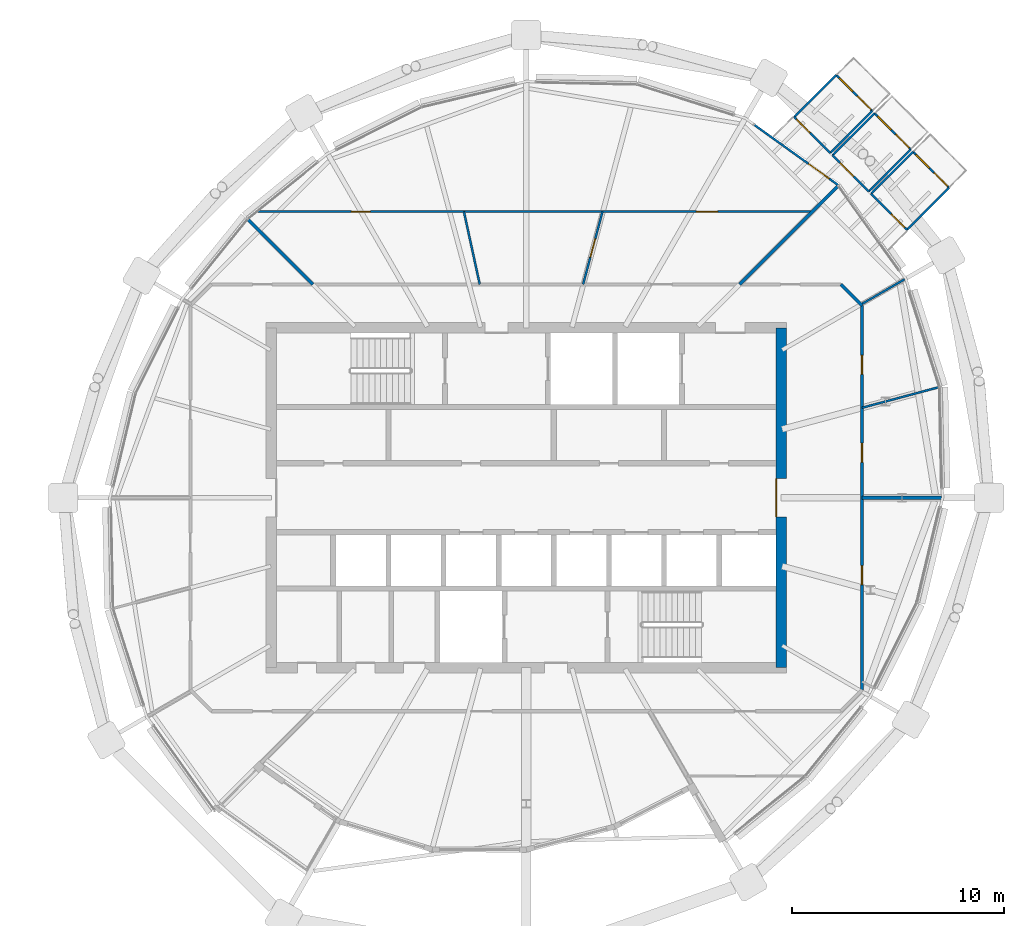
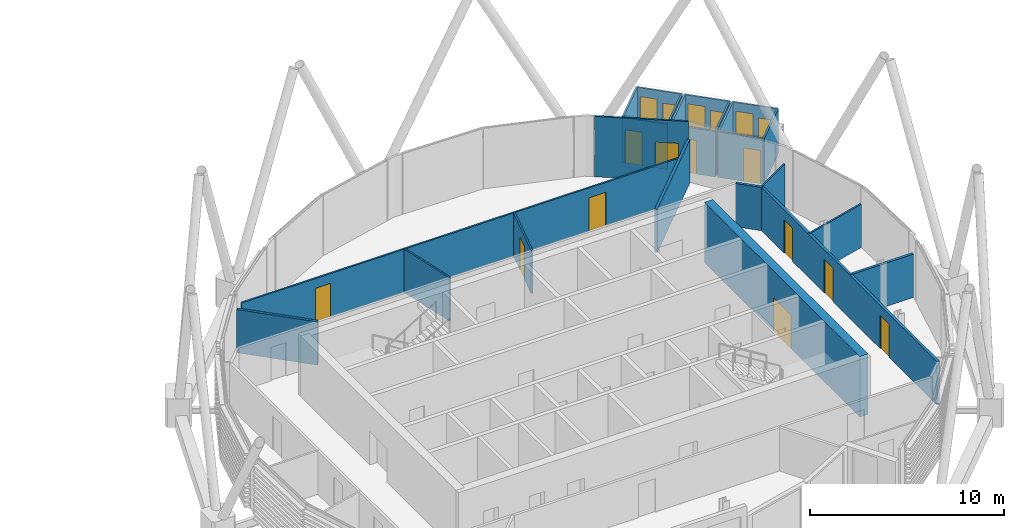
# One storey, part 26 of 34: 24 walls, 14 doors, 3 windows, 17 openings.
"""IFC4 building model written with IfcOpenShell, lengths in metres."""

from ifc_helpers import new_model, si_unit, direction, frame, frame_2d, origin, place, context, subcontext, project, spatial, rectangle, extrude, material, layer, layer_set, type_object, element, fill, save


model = new_model("IFC4")

# Units and contexts
model_context = context("Model", 3, precision=1e-05, world=origin(), true_north=direction((0.0, 1.0)))
body_context = subcontext(model_context, "Body", "Model", "MODEL_VIEW")
ifc_project = project(units=[si_unit("LENGTHUNIT", "METRE"), si_unit("AREAUNIT", "SQUARE_METRE"), si_unit("VOLUMEUNIT", "CUBIC_METRE"), si_unit("PLANEANGLEUNIT", "RADIAN"), si_unit("MASSUNIT", "GRAM", prefix="KILO")], contexts=[model_context])

# Site, building, storey
site_placement = place(None, origin())
site = spatial("IfcSite", under=ifc_project, at=site_placement, CompositionType="ELEMENT")
building_placement = place(site_placement, origin())
building = spatial("IfcBuilding", under=site, at=building_placement, Name="Rimbun Link Towers", CompositionType="ELEMENT")
storey_placement = place(building_placement, frame((0.0, 0.0, 221.89990234375)))
storey = spatial("IfcBuildingStorey", under=building, at=storey_placement, Name="L54", CompositionType="ELEMENT", Elevation=221.89990234375)

# Wall, openings, door, window
ifc_material_1 = material(Name="Terracotta-faced insulated sandwich panel", Category="masonry")
ifc_layer_1 = layer(ifc_material_1, 0.10009765625)
ifc_layer_set_1 = layer_set([ifc_layer_1], Name="CAPSULE entrance panel 100")
wall_type_1 = type_object("IfcWallType", Name="CAPSULE entrance panel 100", PredefinedType="STANDARD", material=ifc_layer_set_1)
wall_1_placement = place(storey_placement, frame((48.042236328125, 18.201416015625, 0.0), z_axis=(0.0, 0.0, 1.0), x_axis=(-0.707106781187, 0.707106781187, 0.0)))
wall_1 = element("IfcWall", 1, at=wall_1_placement, inside=storey, type_object=wall_type_1, Name="CAPSULE D542.01 shell panel 2", PredefinedType="STANDARD", context=body_context, shape_type="SweptSolid", body=[
    extrude(rectangle(XDim=2.39990234375, YDim=0.10009765625, at=frame_2d((1.199951171875, 0.0))), origin(), (0.0, 0.0, 1.0), 2.85009765625),
])
opening_1_placement = place(wall_1_placement, frame((0.10009765625, 0.0, 0.0)))
opening_1 = element("IfcOpeningElement", 2, at=opening_1_placement, cuts=wall_1, Name="Opening CD54.01", PredefinedType="OPENING", context=body_context, shape_type="SweptSolid", body=[
    extrude(rectangle(XDim=0.89990234375, YDim=2.10009765625, at=frame_2d((0.449951171875, 1.050048828125))), frame((0.0, 0.06005859375, 0.0), z_axis=(0.0, -1.0, 0.0), x_axis=(1.0, 0.0, 0.0)), (0.0, 0.0, 1.0), 0.1201171875),
])
opening_2_placement = place(wall_1_placement, frame((1.300048828125, 0.0, 0.89990234375)))
opening_2 = element("IfcOpeningElement", 3, at=opening_2_placement, cuts=wall_1, Name="Opening CN54.01", PredefinedType="OPENING", context=body_context, shape_type="SweptSolid", body=[
    extrude(rectangle(XDim=0.89990234375, YDim=1.39990234375, at=frame_2d((0.449951171875, 0.699951171875))), frame((0.0, 0.06005859375, 0.0), z_axis=(0.0, -1.0, 0.0), x_axis=(1.0, 0.0, 0.0)), (0.0, 0.0, 1.0), 0.1201171875),
])
ifc_material_2 = material(Name="Aluminium framed insulated door leaf", Category="aluminium")
door_type_1 = type_object("IfcDoorType", Name="CAPSULE door single leaf 900X2100", OperationType="SINGLE_SWING_LEFT", PredefinedType="DOOR", material=ifc_material_2)
door_1_placement = place(opening_1_placement, origin())
door_1 = element("IfcDoor", 4, at=door_1_placement, inside=storey, type_object=door_type_1, Name="CAPSULE D542.01 door", OperationType="SINGLE_SWING_LEFT", OverallHeight=2.10009765625, OverallWidth=0.89990234375, PredefinedType="DOOR", context=body_context, shape_type="SweptSolid", body=[
    extrude(rectangle(XDim=0.89990234375, YDim=2.10009765625, at=frame_2d((0.449951171875, 1.050048828125))), frame((0.0, 0.02490234375, 0.0), z_axis=(0.0, -1.0, 0.0), x_axis=(1.0, 0.0, 0.0)), (0.0, 0.0, 1.0), 0.050048828125),
])
fill(opening_1, door_1)
ifc_material_3 = material(Name="Aluminium framed window, low-iron glass", Category="aluminium")
window_type = type_object("IfcWindowType", Name="CAPSULE window 900X1400", PartitioningType="SINGLE_PANEL", PredefinedType="WINDOW", material=ifc_material_3)
window_1_placement = place(opening_2_placement, origin())
window_1 = element("IfcWindow", 5, at=window_1_placement, inside=storey, type_object=window_type, Name="CAPSULE D542.01 window", OverallHeight=1.39990234375, OverallWidth=0.89990234375, PartitioningType="SINGLE_PANEL", PredefinedType="WINDOW", context=body_context, shape_type="SweptSolid", body=[
    extrude(rectangle(XDim=0.89990234375, YDim=1.39990234375, at=frame_2d((0.449951171875, 0.699951171875))), frame((0.0, 0.030029296875, 0.0), z_axis=(0.0, -1.0, 0.0), x_axis=(1.0, 0.0, 0.0)), (0.0, 0.0, 1.0), 0.06005859375),
])
fill(opening_2, window_1)

# Wall, opening, door
wall_2_placement = place(storey_placement, frame((44.365234375, 17.91845703125, 0.0), z_axis=(0.0, 0.0, 1.0), x_axis=(0.707106781187, -0.707106781187, 0.0)))
wall_2 = element("IfcWall", 6, at=wall_2_placement, inside=storey, type_object=wall_type_1, Name="CAPSULE D542.01 shell panel 4", PredefinedType="STANDARD", context=body_context, shape_type="SweptSolid", body=[
    extrude(rectangle(XDim=2.39990234375, YDim=0.10009765625, at=frame_2d((1.199951171875, 0.0))), origin(), (0.0, 0.0, 1.0), 2.85009765625),
])
opening_3_placement = place(wall_2_placement, frame((0.14990234375, 0.0, 0.0)))
opening_3 = element("IfcOpeningElement", 7, at=opening_3_placement, cuts=wall_2, Name="Opening CE54.01", PredefinedType="OPENING", context=body_context, shape_type="SweptSolid", body=[
    extrude(rectangle(XDim=0.89990234375, YDim=2.10009765625, at=frame_2d((0.449951171875, 1.050048828125))), frame((0.0, 0.06005859375, 0.0), z_axis=(0.0, -1.0, 0.0), x_axis=(1.0, 0.0, 0.0)), (0.0, 0.0, 1.0), 0.1201171875),
])
door_2_placement = place(opening_3_placement, origin())
door_2 = element("IfcDoor", 8, at=door_2_placement, inside=storey, type_object=door_type_1, Name="CAPSULE D542.01 inner door", OperationType="SINGLE_SWING_LEFT", OverallHeight=2.10009765625, OverallWidth=0.89990234375, PredefinedType="DOOR", context=body_context, shape_type="SweptSolid", body=[
    extrude(rectangle(XDim=0.89990234375, YDim=2.10009765625, at=frame_2d((0.449951171875, 1.050048828125))), frame((0.0, 0.02490234375, 0.0), z_axis=(0.0, -1.0, 0.0), x_axis=(1.0, 0.0, 0.0)), (0.0, 0.0, 1.0), 0.050048828125),
])
fill(opening_3, door_2)

# Wall, openings, door, window
wall_3_placement = place(storey_placement, frame((49.84521484375, 16.398193359375, 0.0), z_axis=(0.0, 0.0, 1.0), x_axis=(-0.707106781187, 0.707106781187, 0.0)))
wall_3 = element("IfcWall", 9, at=wall_3_placement, inside=storey, type_object=wall_type_1, Name="CAPSULE D542.02 shell panel 2", PredefinedType="STANDARD", context=body_context, shape_type="SweptSolid", body=[
    extrude(rectangle(XDim=2.39990234375, YDim=0.10009765625, at=frame_2d((1.199951171875, 0.0))), origin(), (0.0, 0.0, 1.0), 2.85009765625),
])
opening_4_placement = place(wall_3_placement, frame((0.10009765625, 0.0, 0.0)))
opening_4 = element("IfcOpeningElement", 10, at=opening_4_placement, cuts=wall_3, Name="Opening CD54.02", PredefinedType="OPENING", context=body_context, shape_type="SweptSolid", body=[
    extrude(rectangle(XDim=0.89990234375, YDim=2.10009765625, at=frame_2d((0.449951171875, 1.050048828125))), frame((0.0, 0.06005859375, 0.0), z_axis=(0.0, -1.0, 0.0), x_axis=(1.0, 0.0, 0.0)), (0.0, 0.0, 1.0), 0.1201171875),
])
opening_5_placement = place(wall_3_placement, frame((1.300048828125, 0.0, 0.89990234375)))
opening_5 = element("IfcOpeningElement", 11, at=opening_5_placement, cuts=wall_3, Name="Opening CN54.02", PredefinedType="OPENING", context=body_context, shape_type="SweptSolid", body=[
    extrude(rectangle(XDim=0.89990234375, YDim=1.39990234375, at=frame_2d((0.449951171875, 0.699951171875))), frame((0.0, 0.06005859375, 0.0), z_axis=(0.0, -1.0, 0.0), x_axis=(1.0, 0.0, 0.0)), (0.0, 0.0, 1.0), 0.1201171875),
])
door_3_placement = place(opening_4_placement, origin())
door_3 = element("IfcDoor", 12, at=door_3_placement, inside=storey, type_object=door_type_1, Name="CAPSULE D542.02 door", OperationType="SINGLE_SWING_RIGHT", OverallHeight=2.10009765625, OverallWidth=0.89990234375, PredefinedType="DOOR", context=body_context, shape_type="SweptSolid", body=[
    extrude(rectangle(XDim=0.89990234375, YDim=2.10009765625, at=frame_2d((0.449951171875, 1.050048828125))), frame((0.0, 0.02490234375, 0.0), z_axis=(0.0, -1.0, 0.0), x_axis=(1.0, 0.0, 0.0)), (0.0, 0.0, 1.0), 0.050048828125),
])
fill(opening_4, door_3)
window_2_placement = place(opening_5_placement, origin())
window_2 = element("IfcWindow", 13, at=window_2_placement, inside=storey, type_object=window_type, Name="CAPSULE D542.02 window", OverallHeight=1.39990234375, OverallWidth=0.89990234375, PartitioningType="SINGLE_PANEL", PredefinedType="WINDOW", context=body_context, shape_type="SweptSolid", body=[
    extrude(rectangle(XDim=0.89990234375, YDim=1.39990234375, at=frame_2d((0.449951171875, 0.699951171875))), frame((0.0, 0.030029296875, 0.0), z_axis=(0.0, -1.0, 0.0), x_axis=(1.0, 0.0, 0.0)), (0.0, 0.0, 1.0), 0.06005859375),
])
fill(opening_5, window_2)

# Wall, opening, door
wall_4_placement = place(storey_placement, frame((46.16845703125, 16.115478515625, 0.0), z_axis=(0.0, 0.0, 1.0), x_axis=(0.707106781187, -0.707106781187, 0.0)))
wall_4 = element("IfcWall", 14, at=wall_4_placement, inside=storey, type_object=wall_type_1, Name="CAPSULE D542.02 shell panel 4", PredefinedType="STANDARD", context=body_context, shape_type="SweptSolid", body=[
    extrude(rectangle(XDim=2.39990234375, YDim=0.10009765625, at=frame_2d((1.199951171875, 0.0))), origin(), (0.0, 0.0, 1.0), 2.85009765625),
])
opening_6_placement = place(wall_4_placement, frame((0.5, 0.0, 0.0)))
opening_6 = element("IfcOpeningElement", 15, at=opening_6_placement, cuts=wall_4, Name="Opening CE54.02", PredefinedType="OPENING", context=body_context, shape_type="SweptSolid", body=[
    extrude(rectangle(XDim=0.89990234375, YDim=2.10009765625, at=frame_2d((0.449951171875, 1.050048828125))), frame((0.0, 0.06005859375, 0.0), z_axis=(0.0, -1.0, 0.0), x_axis=(1.0, 0.0, 0.0)), (0.0, 0.0, 1.0), 0.1201171875),
])
door_4_placement = place(opening_6_placement, origin())
door_4 = element("IfcDoor", 16, at=door_4_placement, inside=storey, type_object=door_type_1, Name="CAPSULE D542.02 inner door", OperationType="SINGLE_SWING_LEFT", OverallHeight=2.10009765625, OverallWidth=0.89990234375, PredefinedType="DOOR", context=body_context, shape_type="SweptSolid", body=[
    extrude(rectangle(XDim=0.89990234375, YDim=2.10009765625, at=frame_2d((0.449951171875, 1.050048828125))), frame((0.0, 0.02490234375, 0.0), z_axis=(0.0, -1.0, 0.0), x_axis=(1.0, 0.0, 0.0)), (0.0, 0.0, 1.0), 0.050048828125),
])
fill(opening_6, door_4)

# Wall, openings, door, window
wall_5_placement = place(storey_placement, frame((51.6484375, 14.59521484375, 0.0), z_axis=(0.0, 0.0, 1.0), x_axis=(-0.707106781187, 0.707106781187, 0.0)))
wall_5 = element("IfcWall", 17, at=wall_5_placement, inside=storey, type_object=wall_type_1, Name="CAPSULE D542.03 shell panel 2", PredefinedType="STANDARD", context=body_context, shape_type="SweptSolid", body=[
    extrude(rectangle(XDim=2.39990234375, YDim=0.10009765625, at=frame_2d((1.199951171875, 0.0))), origin(), (0.0, 0.0, 1.0), 2.85009765625),
])
opening_7_placement = place(wall_5_placement, frame((0.10009765625, 0.0, 0.0)))
opening_7 = element("IfcOpeningElement", 18, at=opening_7_placement, cuts=wall_5, Name="Opening CD54.03", PredefinedType="OPENING", context=body_context, shape_type="SweptSolid", body=[
    extrude(rectangle(XDim=0.89990234375, YDim=2.10009765625, at=frame_2d((0.449951171875, 1.050048828125))), frame((0.0, 0.06005859375, 0.0), z_axis=(0.0, -1.0, 0.0), x_axis=(1.0, 0.0, 0.0)), (0.0, 0.0, 1.0), 0.1201171875),
])
opening_8_placement = place(wall_5_placement, frame((1.300048828125, 0.0, 0.89990234375)))
opening_8 = element("IfcOpeningElement", 19, at=opening_8_placement, cuts=wall_5, Name="Opening CN54.03", PredefinedType="OPENING", context=body_context, shape_type="SweptSolid", body=[
    extrude(rectangle(XDim=0.89990234375, YDim=1.39990234375, at=frame_2d((0.449951171875, 0.699951171875))), frame((0.0, 0.06005859375, 0.0), z_axis=(0.0, -1.0, 0.0), x_axis=(1.0, 0.0, 0.0)), (0.0, 0.0, 1.0), 0.1201171875),
])
door_5_placement = place(opening_7_placement, origin())
door_5 = element("IfcDoor", 20, at=door_5_placement, inside=storey, type_object=door_type_1, Name="CAPSULE D542.03 door", OperationType="SINGLE_SWING_LEFT", OverallHeight=2.10009765625, OverallWidth=0.89990234375, PredefinedType="DOOR", context=body_context, shape_type="SweptSolid", body=[
    extrude(rectangle(XDim=0.89990234375, YDim=2.10009765625, at=frame_2d((0.449951171875, 1.050048828125))), frame((0.0, 0.02490234375, 0.0), z_axis=(0.0, -1.0, 0.0), x_axis=(1.0, 0.0, 0.0)), (0.0, 0.0, 1.0), 0.050048828125),
])
fill(opening_7, door_5)
window_3_placement = place(opening_8_placement, origin())
window_3 = element("IfcWindow", 21, at=window_3_placement, inside=storey, type_object=window_type, Name="CAPSULE D542.03 window", OverallHeight=1.39990234375, OverallWidth=0.89990234375, PartitioningType="SINGLE_PANEL", PredefinedType="WINDOW", context=body_context, shape_type="SweptSolid", body=[
    extrude(rectangle(XDim=0.89990234375, YDim=1.39990234375, at=frame_2d((0.449951171875, 0.699951171875))), frame((0.0, 0.030029296875, 0.0), z_axis=(0.0, -1.0, 0.0), x_axis=(1.0, 0.0, 0.0)), (0.0, 0.0, 1.0), 0.06005859375),
])
fill(opening_8, window_3)

# Wall, opening, door
wall_6_placement = place(storey_placement, frame((47.971435546875, 14.312255859375, 0.0), z_axis=(0.0, 0.0, 1.0), x_axis=(0.707106781187, -0.707106781187, 0.0)))
wall_6 = element("IfcWall", 22, at=wall_6_placement, inside=storey, type_object=wall_type_1, Name="CAPSULE D542.03 shell panel 4", PredefinedType="STANDARD", context=body_context, shape_type="SweptSolid", body=[
    extrude(rectangle(XDim=2.39990234375, YDim=0.10009765625, at=frame_2d((1.199951171875, 0.0))), origin(), (0.0, 0.0, 1.0), 2.85009765625),
])
opening_9_placement = place(wall_6_placement, frame((1.35009765625, 0.0, 0.0)))
opening_9 = element("IfcOpeningElement", 23, at=opening_9_placement, cuts=wall_6, Name="Opening CE54.03", PredefinedType="OPENING", context=body_context, shape_type="SweptSolid", body=[
    extrude(rectangle(XDim=0.89990234375, YDim=2.10009765625, at=frame_2d((0.449951171875, 1.050048828125))), frame((0.0, 0.06005859375, 0.0), z_axis=(0.0, -1.0, 0.0), x_axis=(1.0, 0.0, 0.0)), (0.0, 0.0, 1.0), 0.1201171875),
])
door_6_placement = place(opening_9_placement, origin())
door_6 = element("IfcDoor", 24, at=door_6_placement, inside=storey, type_object=door_type_1, Name="CAPSULE D542.03 inner door", OperationType="SINGLE_SWING_LEFT", OverallHeight=2.10009765625, OverallWidth=0.89990234375, PredefinedType="DOOR", context=body_context, shape_type="SweptSolid", body=[
    extrude(rectangle(XDim=0.89990234375, YDim=2.10009765625, at=frame_2d((0.449951171875, 1.050048828125))), frame((0.0, 0.02490234375, 0.0), z_axis=(0.0, -1.0, 0.0), x_axis=(1.0, 0.0, 0.0)), (0.0, 0.0, 1.0), 0.050048828125),
])
fill(opening_9, door_6)

# Walls
ifc_material_4 = material(Name="Terracotta-faced insulated sandwich panel", Category="masonry")
ifc_layer_2 = layer(ifc_material_4, 0.10009765625)
ifc_layer_set_2 = layer_set([ifc_layer_2], Name="CAPSULE shell panel 100")
wall_type_2 = type_object("IfcWallType", Name="CAPSULE shell panel 100", PredefinedType="STANDARD", material=ifc_layer_set_2)
for number, where, z_axis, x_axis, name in (
    (25, (46.062255859375, 16.221435546875, 0.0), (0.0, 0.0, 1.0), (0.707106781187, 0.707106781187, 0.0), "CAPSULE D542.01 shell panel 1"),
    (26, (46.34521484375, 19.8984375, 0.0), (0.0, 0.0, 1.0), (-0.707106781187, -0.707106781187, 0.0), "CAPSULE D542.01 shell panel 3"),
):
    element("IfcWall", number, at=place(storey_placement, frame(where, z_axis=z_axis, x_axis=x_axis)), inside=storey, type_object=wall_type_2, Name=name, PredefinedType="STANDARD", context=body_context, shape_type="SweptSolid", body=[
        extrude(rectangle(XDim=2.800048828125, YDim=0.10009765625, at=frame_2d((1.39990234375, 0.0))), origin(), (0.0, 0.0, 1.0), 2.85009765625),
    ])
for number, where, z_axis, x_axis, name in (
    (27, (47.865478515625, 14.41845703125, 0.0), (0.0, 0.0, 1.0), (0.707106781187, 0.707106781187, 0.0), "CAPSULE D542.02 shell panel 1"),
    (28, (48.148193359375, 18.09521484375, 0.0), (0.0, 0.0, 1.0), (-0.707106781187, -0.707106781187, 0.0), "CAPSULE D542.02 shell panel 3"),
):
    element("IfcWall", number, at=place(storey_placement, frame(where, z_axis=z_axis, x_axis=x_axis)), inside=storey, type_object=wall_type_2, Name=name, PredefinedType="STANDARD", context=body_context, shape_type="SweptSolid", body=[
        extrude(rectangle(XDim=2.7998046875, YDim=0.10009765625, at=frame_2d((1.39990234375, 0.0))), origin(), (0.0, 0.0, 1.0), 2.85009765625),
    ])
for number, where, z_axis, x_axis, name in (
    (29, (49.66845703125, 12.615234375, 0.0), (0.0, 0.0, 1.0), (0.707106781187, 0.707106781187, 0.0), "CAPSULE D542.03 shell panel 1"),
    (30, (49.951416015625, 16.292236328125, 0.0), (0.0, 0.0, 1.0), (-0.707106781187, -0.707106781187, 0.0), "CAPSULE D542.03 shell panel 3"),
):
    element("IfcWall", number, at=place(storey_placement, frame(where, z_axis=z_axis, x_axis=x_axis)), inside=storey, type_object=wall_type_2, Name=name, PredefinedType="STANDARD", context=body_context, shape_type="SweptSolid", body=[
        extrude(rectangle(XDim=2.800048828125, YDim=0.10009765625, at=frame_2d((1.39990234375, 0.0))), origin(), (0.0, 0.0, 1.0), 2.85009765625),
    ])

# Wall, opening, door
ifc_material_5 = material(Name="Concrete C60/75", Category="concrete")
ifc_layer_3 = layer(ifc_material_5, 0.5)
ifc_layer_set_3 = layer_set([ifc_layer_3], Name="Core shear wall 500")
wall_type_3 = type_object("IfcWallType", Name="Core shear wall 500", PredefinedType="SHEAR", material=ifc_layer_set_3)
wall_7_placement = place(storey_placement, frame((43.75, -8.0, 0.0), z_axis=(0.0, 0.0, 1.0), x_axis=(0.0, 1.0, 0.0)))
wall_7 = element("IfcWall", 31, at=wall_7_placement, inside=storey, type_object=wall_type_3, Name="L54 T2 core wall E", PredefinedType="SHEAR", context=body_context, shape_type="SweptSolid", body=[
    extrude(rectangle(XDim=16.0, YDim=0.5, at=frame_2d((8.0, 0.0))), origin(), (0.0, 0.0, 1.0), 3.800048828125),
])
opening_10_placement = place(wall_7_placement, frame((7.10009765625, 0.0, 0.0)))
opening_10 = element("IfcOpeningElement", 32, at=opening_10_placement, cuts=wall_7, Name="Opening C2DCL01E", PredefinedType="OPENING", context=body_context, shape_type="SweptSolid", body=[
    extrude(rectangle(XDim=1.800048828125, YDim=2.10009765625, at=frame_2d((0.89990234375, 1.050048828125))), frame((0.0, 0.260009765625, 0.0), z_axis=(0.0, -1.0, 0.0), x_axis=(1.0, 0.0, 0.0)), (0.0, 0.0, 1.0), 0.52001953125),
])
ifc_material_6 = material(Name="Steel fire door set", Category="steel")
door_type_2 = type_object("IfcDoorType", Name="Core lobby door double", OperationType="DOUBLE_DOOR_SINGLE_SWING", PredefinedType="DOOR", material=ifc_material_6)
door_7_placement = place(opening_10_placement, origin())
door_7 = element("IfcDoor", 33, at=door_7_placement, inside=storey, type_object=door_type_2, Name="L54 T2 lift lobby door", OperationType="DOUBLE_DOOR_SINGLE_SWING", OverallHeight=2.10009765625, OverallWidth=1.800048828125, PredefinedType="DOOR", context=body_context, shape_type="SweptSolid", body=[
    extrude(rectangle(XDim=1.800048828125, YDim=2.10009765625, at=frame_2d((0.89990234375, 1.050048828125))), frame((0.0, 0.25, 0.0), z_axis=(0.0, -1.0, 0.0), x_axis=(1.0, 0.0, 0.0)), (0.0, 0.0, 1.0), 0.050048828125),
])
fill(opening_10, door_7)

# Wall
ifc_material_7 = material(Name="Plasterboard on steel stud, mineral wool", Category="steel")
ifc_layer_4 = layer(ifc_material_7, 0.14990234375)
ifc_layer_set_4 = layer_set([ifc_layer_4], Name="Corridor wall EI 30 150 mm")
wall_type_4 = type_object("IfcWallType", Name="Corridor wall EI 30 150 mm", PredefinedType="PARTITIONING", material=ifc_layer_set_4)
wall_8_placement = place(storey_placement, frame((47.554931640625, 9.043701171875, 0.0), z_axis=(0.0, 0.0, 1.0), x_axis=(-0.707106781187, 0.707106781187, 0.0)))
element("IfcWall", 34, at=wall_8_placement, inside=storey, type_object=wall_type_4, Name="Corridor wall EI 30 150 mm", PredefinedType="PARTITIONING", context=body_context, shape_type="SweptSolid", body=[
    extrude(rectangle(XDim=1.416015625, YDim=0.14990234375, at=frame_2d((0.7080078125, 0.0))), origin(), (0.0, 0.0, 1.0), 2.72216796875),
])

# Wall, openings, doors
wall_9_placement = place(storey_placement, frame((47.554931640625, 9.043701171875, 0.0), z_axis=(0.0, 0.0, 1.0), x_axis=(0.0, -1.0, 0.0)))
wall_9 = element("IfcWall", 35, at=wall_9_placement, inside=storey, type_object=wall_type_4, Name="Corridor wall EI 30 150 mm", PredefinedType="PARTITIONING", context=body_context, shape_type="SweptSolid", body=[
    extrude(rectangle(XDim=18.08740234375, YDim=0.14990234375, at=frame_2d((9.043701171875, 0.0))), origin(), (0.0, 0.0, 1.0), 2.72216796875),
])
opening_11_placement = place(wall_9_placement, frame((6.476318359375, 0.0, 0.0)))
opening_11 = element("IfcOpeningElement", 36, at=opening_11_placement, cuts=wall_9, Name="Opening D02", PredefinedType="OPENING", context=body_context, shape_type="SweptSolid", body=[
    extrude(rectangle(XDim=0.89990234375, YDim=2.10009765625, at=frame_2d((0.449951171875, 1.050048828125))), frame((0.0, 0.0849609375, 0.0), z_axis=(0.0, -1.0, 0.0), x_axis=(1.0, 0.0, 0.0)), (0.0, 0.0, 1.0), 0.169921875),
])
opening_12_placement = place(wall_9_placement, frame((2.336181640625, 0.0, 0.0)))
opening_12 = element("IfcOpeningElement", 37, at=opening_12_placement, cuts=wall_9, Name="Opening D02", PredefinedType="OPENING", context=body_context, shape_type="SweptSolid", body=[
    extrude(rectangle(XDim=0.89990234375, YDim=2.10009765625, at=frame_2d((0.449951171875, 1.050048828125))), frame((0.0, 0.0849609375, 0.0), z_axis=(0.0, -1.0, 0.0), x_axis=(1.0, 0.0, 0.0)), (0.0, 0.0, 1.0), 0.169921875),
])
opening_13_placement = place(wall_9_placement, frame((12.233642578125, 0.0, 0.0)))
opening_13 = element("IfcOpeningElement", 38, at=opening_13_placement, cuts=wall_9, Name="Opening D02", PredefinedType="OPENING", context=body_context, shape_type="SweptSolid", body=[
    extrude(rectangle(XDim=0.89990234375, YDim=2.10009765625, at=frame_2d((0.449951171875, 1.050048828125))), frame((0.0, 0.0849609375, 0.0), z_axis=(0.0, -1.0, 0.0), x_axis=(1.0, 0.0, 0.0)), (0.0, 0.0, 1.0), 0.169921875),
])
ifc_material_8 = material(Name="Fire-resisting timber door leaf", Category="wood")
door_type_3 = type_object("IfcDoorType", Name="Fire door FD30S 900", OperationType="NOTDEFINED", PredefinedType="DOOR", material=ifc_material_8)
door_8_placement = place(opening_11_placement, origin())
door_8 = element("IfcDoor", 39, at=door_8_placement, inside=storey, type_object=door_type_3, Name="Fire door FD30S 900 to Pantry", OperationType="SINGLE_SWING_RIGHT", OverallHeight=2.10009765625, OverallWidth=0.89990234375, PredefinedType="DOOR", context=body_context, shape_type="SweptSolid", body=[
    extrude(rectangle(XDim=0.89990234375, YDim=2.10009765625, at=frame_2d((0.449951171875, 1.050048828125))), frame((0.0, 0.02490234375, 0.0), z_axis=(0.0, -1.0, 0.0), x_axis=(1.0, 0.0, 0.0)), (0.0, 0.0, 1.0), 0.050048828125),
])
fill(opening_11, door_8)
door_9_placement = place(opening_12_placement, origin())
door_9 = element("IfcDoor", 40, at=door_9_placement, inside=storey, type_object=door_type_3, Name="Fire door FD30S 900 to Boardroom", OperationType="SINGLE_SWING_LEFT", OverallHeight=2.10009765625, OverallWidth=0.89990234375, PredefinedType="DOOR", context=body_context, shape_type="SweptSolid", body=[
    extrude(rectangle(XDim=0.89990234375, YDim=2.10009765625, at=frame_2d((0.449951171875, 1.050048828125))), frame((0.0, 0.02490234375, 0.0), z_axis=(0.0, -1.0, 0.0), x_axis=(1.0, 0.0, 0.0)), (0.0, 0.0, 1.0), 0.050048828125),
])
fill(opening_12, door_9)
door_10_placement = place(opening_13_placement, origin())
door_10 = element("IfcDoor", 41, at=door_10_placement, inside=storey, type_object=door_type_3, Name="Fire door FD30S 900 to Meeting room", OperationType="SINGLE_SWING_RIGHT", OverallHeight=2.10009765625, OverallWidth=0.89990234375, PredefinedType="DOOR", context=body_context, shape_type="SweptSolid", body=[
    extrude(rectangle(XDim=0.89990234375, YDim=2.10009765625, at=frame_2d((0.449951171875, 1.050048828125))), frame((0.0, 0.02490234375, 0.0), z_axis=(0.0, -1.0, 0.0), x_axis=(1.0, 0.0, 0.0)), (0.0, 0.0, 1.0), 0.050048828125),
])
fill(opening_13, door_10)

# Wall, opening, door
ifc_material_9 = material(Name="Aluminium framed insulated infill panel", Category="aluminium")
ifc_layer_5 = layer(ifc_material_9, 0.10009765625)
ifc_layer_set_5 = layer_set([ifc_layer_5], Name="ED framed infill wall 100")
wall_type_5 = type_object("IfcWallType", Name="ED framed infill wall 100", PredefinedType="STANDARD", material=ifc_layer_set_5)
wall_10_placement = place(storey_placement, frame((42.48583984375, 17.550048828125, 0.0), z_axis=(0.0, 0.0, 1.0), x_axis=(0.812447111024, -0.583034897574, 0.0)))
wall_10 = element("IfcWall", 42, at=wall_10_placement, inside=storey, type_object=wall_type_5, Name="Framed door bay wall", PredefinedType="STANDARD", context=body_context, shape_type="SweptSolid", body=[
    extrude(rectangle(XDim=4.85498046875, YDim=0.10009765625, at=frame_2d((2.427490234375, 0.0))), origin(), (0.0, 0.0, 1.0), 3.800048828125),
])
opening_14_placement = place(wall_10_placement, frame((3.139892578125, 0.0, 0.0)))
opening_14 = element("IfcOpeningElement", 43, at=opening_14_placement, cuts=wall_10, Name="Opening ED94", PredefinedType="OPENING", context=body_context, shape_type="SweptSolid", body=[
    extrude(rectangle(XDim=1.199951171875, YDim=2.39990234375, at=frame_2d((0.60009765625, 1.199951171875))), frame((0.0, 0.06005859375, 0.0), z_axis=(0.0, -1.0, 0.0), x_axis=(1.0, 0.0, 0.0)), (0.0, 0.0, 1.0), 0.1201171875),
])
ifc_material_10 = material(Name="Aluminium framed glazed door, low-iron glass", Category="aluminium")
door_type_4 = type_object("IfcDoorType", Name="ED terrace door double leaf 1200X2400", OperationType="DOUBLE_DOOR_SINGLE_SWING", PredefinedType="DOOR", material=ifc_material_10)
door_11_placement = place(opening_14_placement, origin())
door_11 = element("IfcDoor", 44, at=door_11_placement, inside=storey, type_object=door_type_4, Name="Terrace door", OperationType="SINGLE_SWING_LEFT", OverallHeight=2.39990234375, OverallWidth=1.199951171875, PredefinedType="DOOR", context=body_context, shape_type="SweptSolid", body=[
    extrude(rectangle(XDim=1.199951171875, YDim=2.39990234375, at=frame_2d((0.60009765625, 1.199951171875))), frame((0.0, 0.02490234375, 0.0), z_axis=(0.0, -1.0, 0.0), x_axis=(1.0, 0.0, 0.0)), (0.0, 0.0, 1.0), 0.050048828125),
])
fill(opening_14, door_11)

# Walls
ifc_material_11 = material(Name="Plasterboard on steel stud", Category="steel")
ifc_layer_6 = layer(ifc_material_11, 0.10009765625)
ifc_layer_set_6 = layer_set([ifc_layer_6], Name="Plasterboard partition 100 mm")
wall_type_6 = type_object("IfcWallType", Name="Plasterboard partition 100 mm", PredefinedType="PARTITIONING", material=ifc_layer_set_6)
wall_11_placement = place(storey_placement, frame((51.177490234375, 5.20556640625, 0.0), z_axis=(0.0, 0.0, 1.0), x_axis=(-0.965923061481, -0.258829363287, 0.0)))
element("IfcWall", 45, at=wall_11_placement, inside=storey, type_object=wall_type_6, Name="Plasterboard partition 100 mm", PredefinedType="PARTITIONING", context=body_context, shape_type="SweptSolid", body=[
    extrude(rectangle(XDim=3.750244140625, YDim=0.10009765625, at=frame_2d((1.875, 0.0))), origin(), (0.0, 0.0, 1.0), 2.72216796875),
])
wall_12_placement = place(storey_placement, frame((49.5625, 10.2841796875, 0.0), z_axis=(0.0, 0.0, 1.0), x_axis=(-0.865997488215, -0.500048348068, 0.0)))
element("IfcWall", 46, at=wall_12_placement, inside=storey, type_object=wall_type_6, Name="Plasterboard partition 100 mm", PredefinedType="PARTITIONING", context=body_context, shape_type="SweptSolid", body=[
    extrude(rectangle(XDim=2.377685546875, YDim=0.10009765625, at=frame_2d((1.18896484375, 0.0))), origin(), (0.0, 0.0, 1.0), 2.72216796875),
])

# Wall, opening, door
wall_13_placement = place(storey_placement, frame((34.426513671875, 10.044921875, 0.0), z_axis=(0.0, 0.0, 1.0), x_axis=(0.257486629224, 0.966281861452, 0.0)))
wall_13 = element("IfcWall", 47, at=wall_13_placement, inside=storey, type_object=wall_type_6, Name="Plasterboard partition 100 mm", PredefinedType="PARTITIONING", context=body_context, shape_type="SweptSolid", body=[
    extrude(rectangle(XDim=3.53955078125, YDim=0.10009765625, at=frame_2d((1.769775390625, 0.0))), origin(), (0.0, 0.0, 1.0), 2.72216796875),
])
opening_15_placement = place(wall_13_placement, frame((1.319580078125, 0.0, 0.0)))
opening_15 = element("IfcOpeningElement", 48, at=opening_15_placement, cuts=wall_13, Name="Opening D04", PredefinedType="OPENING", context=body_context, shape_type="SweptSolid", body=[
    extrude(rectangle(XDim=0.89990234375, YDim=2.10009765625, at=frame_2d((0.449951171875, 1.050048828125))), frame((0.0, 0.06005859375, 0.0), z_axis=(0.0, -1.0, 0.0), x_axis=(1.0, 0.0, 0.0)), (0.0, 0.0, 1.0), 0.1201171875),
])
ifc_material_12 = material(Name="Timber door leaf", Category="wood")
door_type_5 = type_object("IfcDoorType", Name="Flush door 900", OperationType="NOTDEFINED", PredefinedType="DOOR", material=ifc_material_12)
door_12_placement = place(opening_15_placement, origin())
door_12 = element("IfcDoor", 49, at=door_12_placement, inside=storey, type_object=door_type_5, Name="Flush door 900 to Meeting room", OperationType="SINGLE_SWING_LEFT", OverallHeight=2.10009765625, OverallWidth=0.89990234375, PredefinedType="DOOR", context=body_context, shape_type="SweptSolid", body=[
    extrude(rectangle(XDim=0.89990234375, YDim=2.10009765625, at=frame_2d((0.449951171875, 1.050048828125))), frame((0.0, 0.02490234375, 0.0), z_axis=(0.0, -1.0, 0.0), x_axis=(1.0, 0.0, 0.0)), (0.0, 0.0, 1.0), 0.050048828125),
])
fill(opening_15, door_12)

# Wall, openings, doors
wall_14_placement = place(storey_placement, frame((19.1103515625, 13.465087890625, 0.0), z_axis=(0.0, 0.0, 1.0), x_axis=(1.0, 0.0, 0.0)))
wall_14 = element("IfcWall", 50, at=wall_14_placement, inside=storey, type_object=wall_type_6, Name="Plasterboard partition 100 mm", PredefinedType="PARTITIONING", context=body_context, shape_type="SweptSolid", body=[
    extrude(rectangle(XDim=26.104736328125, YDim=0.10009765625, at=frame_2d((13.05224609375, 0.0))), origin(), (0.0, 0.0, 1.0), 2.72216796875),
])
opening_16_placement = place(wall_14_placement, frame((20.650634765625, 0.0, 0.0)))
opening_16 = element("IfcOpeningElement", 51, at=opening_16_placement, cuts=wall_14, Name="Opening D03", PredefinedType="OPENING", context=body_context, shape_type="SweptSolid", body=[
    extrude(rectangle(XDim=1.0, YDim=2.10009765625, at=frame_2d((0.5, 1.050048828125))), frame((0.0, 0.06005859375, 0.0), z_axis=(0.0, -1.0, 0.0), x_axis=(1.0, 0.0, 0.0)), (0.0, 0.0, 1.0), 0.1201171875),
])
opening_17_placement = place(wall_14_placement, frame((4.403076171875, 0.0, 0.0)))
opening_17 = element("IfcOpeningElement", 52, at=opening_17_placement, cuts=wall_14, Name="Opening D04", PredefinedType="OPENING", context=body_context, shape_type="SweptSolid", body=[
    extrude(rectangle(XDim=0.89990234375, YDim=2.10009765625, at=frame_2d((0.449951171875, 1.050048828125))), frame((0.0, 0.06005859375, 0.0), z_axis=(0.0, -1.0, 0.0), x_axis=(1.0, 0.0, 0.0)), (0.0, 0.0, 1.0), 0.1201171875),
])
ifc_material_13 = material(Name="Timber door leaf", Category="wood")
door_type_6 = type_object("IfcDoorType", Name="Flush door 1000", OperationType="NOTDEFINED", PredefinedType="DOOR", material=ifc_material_13)
door_13_placement = place(opening_16_placement, origin())
door_13 = element("IfcDoor", 53, at=door_13_placement, inside=storey, type_object=door_type_6, Name="Flush door 1000 to Open office", OperationType="SINGLE_SWING_RIGHT", OverallHeight=2.10009765625, OverallWidth=1.0, PredefinedType="DOOR", context=body_context, shape_type="SweptSolid", body=[
    extrude(rectangle(XDim=1.0, YDim=2.10009765625, at=frame_2d((0.5, 1.050048828125))), frame((0.0, 0.02490234375, 0.0), z_axis=(0.0, -1.0, 0.0), x_axis=(1.0, 0.0, 0.0)), (0.0, 0.0, 1.0), 0.050048828125),
])
fill(opening_16, door_13)
door_14_placement = place(opening_17_placement, origin())
door_14 = element("IfcDoor", 54, at=door_14_placement, inside=storey, type_object=door_type_5, Name="Flush door 900 to Print room", OperationType="SINGLE_SWING_LEFT", OverallHeight=2.10009765625, OverallWidth=0.89990234375, PredefinedType="DOOR", context=body_context, shape_type="SweptSolid", body=[
    extrude(rectangle(XDim=0.89990234375, YDim=2.10009765625, at=frame_2d((0.449951171875, 1.050048828125))), frame((0.0, 0.02490234375, 0.0), z_axis=(0.0, -1.0, 0.0), x_axis=(1.0, 0.0, 0.0)), (0.0, 0.0, 1.0), 0.050048828125),
])
fill(opening_17, door_14)

# Walls
wall_15_placement = place(storey_placement, frame((28.816162109375, 13.465087890625, 0.0), z_axis=(0.0, 0.0, 1.0), x_axis=(0.212866861718, -0.97708121422, 0.0)))
element("IfcWall", 55, at=wall_15_placement, inside=storey, type_object=wall_type_6, Name="Plasterboard partition 100 mm", PredefinedType="PARTITIONING", context=body_context, shape_type="SweptSolid", body=[
    extrude(rectangle(XDim=3.50048828125, YDim=0.10009765625, at=frame_2d((1.750244140625, 0.0))), origin(), (0.0, 0.0, 1.0), 2.72216796875),
])
ifc_material_14 = material(Name="Plasterboard on steel stud, mineral wool", Category="steel")
ifc_layer_7 = layer(ifc_material_14, 0.14990234375)
ifc_layer_set_7 = layer_set([ifc_layer_7], Name="Tenancy separation wall EI 60 150 mm")
wall_type_7 = type_object("IfcWallType", Name="Tenancy separation wall EI 60 150 mm", PredefinedType="PARTITIONING", material=ifc_layer_set_7)
wall_16_placement = place(storey_placement, frame((41.794921875, 10.044921875, 0.0), z_axis=(0.0, 0.0, 1.0), x_axis=(0.707106781187, 0.707106781187, 0.0)))
element("IfcWall", 56, at=wall_16_placement, inside=storey, type_object=wall_type_7, Name="Tenancy separation wall EI 60 150 mm", PredefinedType="PARTITIONING", context=body_context, shape_type="SweptSolid", body=[
    extrude(rectangle(XDim=6.536865234375, YDim=0.14990234375, at=frame_2d((3.2685546875, 0.0))), origin(), (0.0, 0.0, 1.0), 2.72216796875),
])
wall_17_placement = place(storey_placement, frame((21.705078125, 10.044921875, 0.0), z_axis=(0.0, 0.0, 1.0), x_axis=(-0.707106781187, 0.707106781187, 0.0)))
element("IfcWall", 57, at=wall_17_placement, inside=storey, type_object=wall_type_7, Name="Tenancy separation wall EI 60 150 mm", PredefinedType="PARTITIONING", context=body_context, shape_type="SweptSolid", body=[
    extrude(rectangle(XDim=4.314453125, YDim=0.14990234375, at=frame_2d((2.1572265625, 0.0))), origin(), (0.0, 0.0, 1.0), 2.72216796875),
])
wall_18_placement = place(storey_placement, frame((47.554931640625, 0.0, 0.0), z_axis=(0.0, 0.0, 1.0), x_axis=(1.0, 0.0, 0.0)))
element("IfcWall", 58, at=wall_18_placement, inside=storey, type_object=wall_type_7, Name="Tenancy separation wall EI 60 150 mm", PredefinedType="PARTITIONING", context=body_context, shape_type="SweptSolid", body=[
    extrude(rectangle(XDim=3.732421875, YDim=0.14990234375, at=frame_2d((1.8662109375, 0.0))), origin(), (0.0, 0.0, 1.0), 2.72216796875),
])

save(model, "model.ifc")
